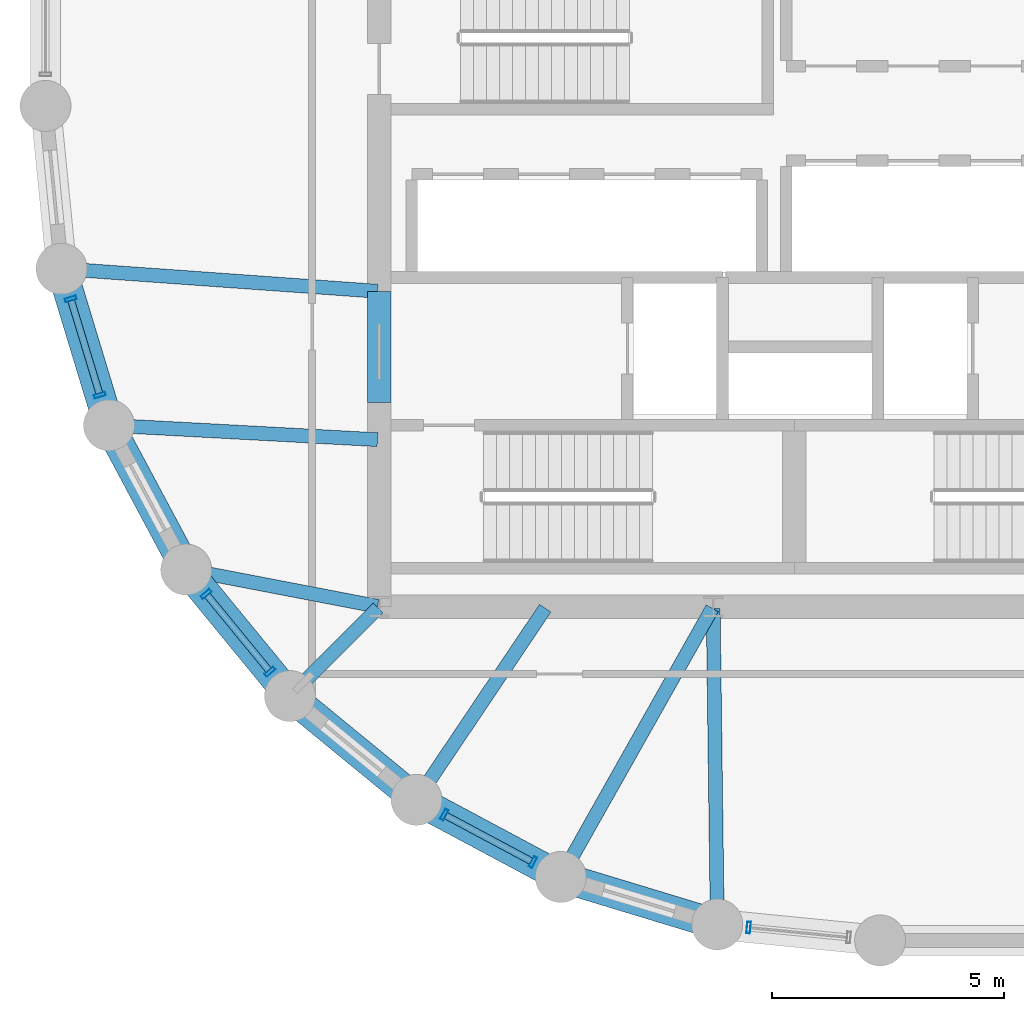
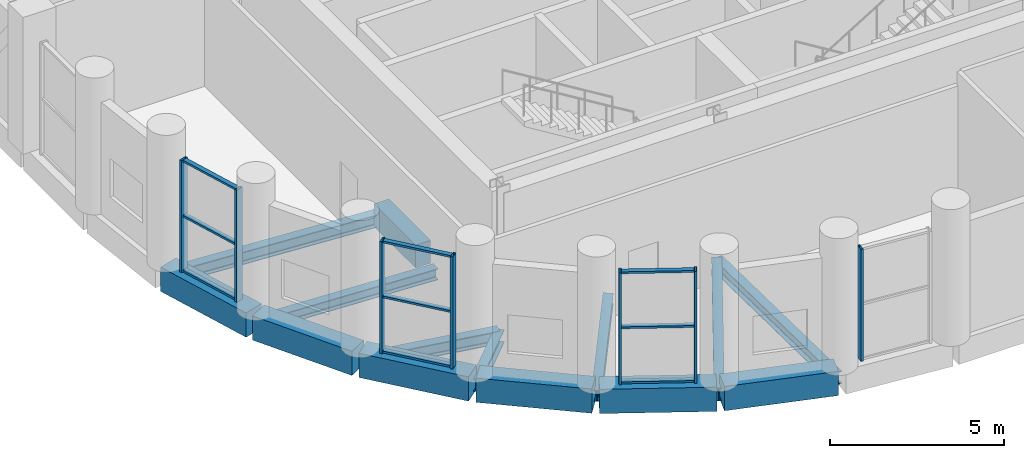
# One storey, part 2 of 22: 16 members, 14 beams, 4 elements without a shape of their own.
"""IFC4 building model written with IfcOpenShell, lengths in metres."""

from ifc_helpers import new_model, si_unit, direction, frame, origin, origin_2d, place, context, subcontext, project, spatial, rectangle, hollow_rectangle, i_section, extrude, material, layer, layer_set, material_profile, profile_set, type_object, element, aggregate, save


model = new_model("IFC4")

# Units and contexts
model_context = context("Model", 3, precision=1e-05, world=origin(), true_north=direction((0.0, 1.0)))
body_context = subcontext(model_context, "Body", "Model", "MODEL_VIEW")
ifc_project = project(units=[si_unit("LENGTHUNIT", "METRE"), si_unit("AREAUNIT", "SQUARE_METRE"), si_unit("VOLUMEUNIT", "CUBIC_METRE"), si_unit("PLANEANGLEUNIT", "RADIAN"), si_unit("MASSUNIT", "GRAM", prefix="KILO")], contexts=[model_context])

# Site, building, storey
site_placement = place(None, origin())
site = spatial("IfcSite", under=ifc_project, at=site_placement, CompositionType="ELEMENT")
building_placement = place(site_placement, origin())
building = spatial("IfcBuilding", under=site, at=building_placement, Name="Solnavia Interchange Tower", CompositionType="ELEMENT")
storey_placement = place(building_placement, frame((0.0, 0.0, 115.199951171875)))
storey = spatial("IfcBuildingStorey", under=building, at=storey_placement, Name="L28", CompositionType="ELEMENT", Elevation=115.199951171875)

# Beams
ifc_material_1 = material(Name="Concrete C50/60", Category="concrete")
ifc_material_profile_1 = material_profile(ifc_material_1, rectangle(XDim=0.5, YDim=0.800048828125, at=origin_2d()), Name="RC 500x800")
ifc_profile_set_1 = profile_set([ifc_material_profile_1], Name="Concrete C50/60")
beam_type_1 = type_object("IfcBeamType", Name="Beam-Coupling-RC500x800", PredefinedType="LINTEL", material=ifc_profile_set_1)
beam_1_placement = place(storey_placement, frame((14.39990234375, 15.199951171875, -0.39990234375), z_axis=(0.0, 1.0, 0.0), x_axis=(-1.0, 0.0, 0.0)))
element("IfcBeam", 1, at=beam_1_placement, inside=storey, type_object=beam_type_1, Name="CPB-L28-W1 Core coupling lintel beam", PredefinedType="LINTEL", context=body_context, shape_type="SweptSolid", body=[
    extrude(rectangle(XDim=0.5, YDim=0.800048828125, at=origin_2d()), origin(), (0.0, 0.0, 1.0), 2.400146484375),
])
ifc_material_2 = material(Name="Steel S460", Category="steel")
ifc_material_profile_2 = material_profile(ifc_material_2, i_section(OverallWidth=0.300048828125, OverallDepth=0.449951171875, WebThickness=0.013916015625, FlangeThickness=0.02587890625, FilletRadius=0.027099609375, at=origin_2d()), Name="HEB 450")
ifc_profile_set_2 = profile_set([ifc_material_profile_2], Name="Steel S460")
beam_type_2 = type_object("IfcBeamType", Name="Beam-Girder-HEB450", PredefinedType="BEAM", material=ifc_profile_set_2)
beam_2_placement = place(storey_placement, frame((10.3125, 11.5849609375, -0.544921875), z_axis=(0.982057527796, -0.188581579428, 0.0), x_axis=(0.188581579428, 0.982057527796, 0.0)))
element("IfcBeam", 2, at=beam_2_placement, inside=storey, type_object=beam_type_2, Name="GRD-L28-DR22 Drum radial floor girder", PredefinedType="BEAM", context=body_context, shape_type="SweptSolid", body=[
    extrude(i_section(OverallWidth=0.300048828125, OverallDepth=0.449951171875, WebThickness=0.013916015625, FlangeThickness=0.02587890625, FilletRadius=0.027099609375, at=origin_2d()), origin(), (0.0, 0.0, 1.0), 4.1220703125),
])
beam_3_placement = place(storey_placement, frame((18.351318359375, 5.039794921875, -0.544921875), z_axis=(0.491243158486, 0.871022479182, 0.0), x_axis=(-0.871022479182, 0.491243158486, 0.0)))
element("IfcBeam", 3, at=beam_3_placement, inside=storey, type_object=beam_type_2, Name="GRD-L28-DR25 Drum radial floor girder", PredefinedType="BEAM", context=body_context, shape_type="SweptSolid", body=[
    extrude(i_section(OverallWidth=0.300048828125, OverallDepth=0.449951171875, WebThickness=0.013916015625, FlangeThickness=0.02587890625, FilletRadius=0.027099609375, at=origin_2d()), origin(), (0.0, 0.0, 1.0), 6.5732421875),
])
ifc_material_3 = material(Name="Steel S355", Category="steel")
ifc_material_profile_3 = material_profile(ifc_material_3, i_section(OverallWidth=0.300048828125, OverallDepth=0.389892578125, WebThickness=0.010986328125, FlangeThickness=0.01904296875, FilletRadius=0.027099609375, at=origin_2d()), Name="HEA 400")
ifc_profile_set_3 = profile_set([ifc_material_profile_3], Name="Steel S355")
beam_type_3 = type_object("IfcBeamType", Name="Beam-Primary-HEA400", PredefinedType="BEAM", material=ifc_profile_set_3)
beam_4_placement = place(storey_placement, frame((8.64990234375, 14.707763671875, -0.514892578125), z_axis=(0.998570371303, -0.053452909696, 0.0), x_axis=(0.053452909696, 0.998570371303, 0.0)))
element("IfcBeam", 4, at=beam_4_placement, inside=storey, type_object=beam_type_3, Name="GRD-L28-DR21 Drum radial floor girder", PredefinedType="BEAM", context=body_context, shape_type="SweptSolid", body=[
    extrude(i_section(OverallWidth=0.300048828125, OverallDepth=0.389892578125, WebThickness=0.010986328125, FlangeThickness=0.01904296875, FilletRadius=0.027099609375, at=origin_2d()), origin(), (0.0, 0.0, 1.0), 5.71826171875),
])
beam_5_placement = place(storey_placement, frame((15.24462890625, 6.700439453125, -0.514892578125), z_axis=(0.557835474219, 0.829951555033, 0.0), x_axis=(-0.829951555033, 0.557835474219, 0.0)))
element("IfcBeam", 5, at=beam_5_placement, inside=storey, type_object=beam_type_3, Name="GRD-L28-DR24 Drum radial floor girder", PredefinedType="BEAM", context=body_context, shape_type="SweptSolid", body=[
    extrude(i_section(OverallWidth=0.300048828125, OverallDepth=0.389892578125, WebThickness=0.010986328125, FlangeThickness=0.01904296875, FilletRadius=0.027099609375, at=origin_2d()), origin(), (0.0, 0.0, 1.0), 4.899658203125),
])
ifc_material_profile_4 = material_profile(ifc_material_3, i_section(OverallWidth=0.300048828125, OverallDepth=0.43994140625, WebThickness=0.011474609375, FlangeThickness=0.02099609375, FilletRadius=0.027099609375, at=origin_2d()), Name="HEA 450")
ifc_profile_set_4 = profile_set([ifc_material_profile_4], Name="Steel S355")
beam_type_4 = type_object("IfcBeamType", Name="Beam-Primary-HEA450", PredefinedType="BEAM", material=ifc_profile_set_4)
beam_6_placement = place(storey_placement, frame((7.625732421875, 18.082275390625, -0.5400390625), z_axis=(0.99747482749, -0.071020902015, 0.0), x_axis=(0.071020902015, 0.99747482749, 0.0)))
element("IfcBeam", 6, at=beam_6_placement, inside=storey, type_object=beam_type_4, Name="GRD-L28-DR20 Drum radial floor girder", PredefinedType="BEAM", context=body_context, shape_type="SweptSolid", body=[
    extrude(i_section(OverallWidth=0.300048828125, OverallDepth=0.43994140625, WebThickness=0.011474609375, FlangeThickness=0.02099609375, FilletRadius=0.027099609375, at=origin_2d()), origin(), (0.0, 0.0, 1.0), 6.75146484375),
])
beam_7_placement = place(storey_placement, frame((12.528564453125, 8.9287109375, -0.5400390625), z_axis=(0.707106781187, 0.707106781187, 0.0), x_axis=(-0.707106781187, 0.707106781187, 0.0)))
element("IfcBeam", 7, at=beam_7_placement, inside=storey, type_object=beam_type_4, Name="GRD-L28-DR23 Drum radial floor girder", PredefinedType="BEAM", context=body_context, shape_type="SweptSolid", body=[
    extrude(i_section(OverallWidth=0.300048828125, OverallDepth=0.43994140625, WebThickness=0.011474609375, FlangeThickness=0.02099609375, FilletRadius=0.027099609375, at=origin_2d()), origin(), (0.0, 0.0, 1.0), 2.6064453125),
])
beam_8_placement = place(storey_placement, frame((21.68701171875, 4.02587890625, -0.5400390625), z_axis=(-0.01283293513, 0.999917654498, 0.0), x_axis=(-0.999917654498, -0.01283293513, 0.0)))
element("IfcBeam", 8, at=beam_8_placement, inside=storey, type_object=beam_type_4, Name="GRD-L28-DR26 Drum radial floor girder", PredefinedType="BEAM", context=body_context, shape_type="SweptSolid", body=[
    extrude(i_section(OverallWidth=0.300048828125, OverallDepth=0.43994140625, WebThickness=0.011474609375, FlangeThickness=0.02099609375, FilletRadius=0.027099609375, at=origin_2d()), origin(), (0.0, 0.0, 1.0), 6.734619140625),
])
ifc_material_profile_5 = material_profile(ifc_material_1, rectangle(XDim=0.64990234375, YDim=0.85009765625, at=origin_2d()), Name="RC 650x850")
ifc_profile_set_5 = profile_set([ifc_material_profile_5], Name="Concrete C50/60")
beam_type_5 = type_object("IfcBeamType", Name="Beam-Spandrel-RC650x850", PredefinedType="SPANDREL", material=ifc_profile_set_5)
beam_9_placement = place(storey_placement, frame((7.569091796875, 18.011474609375, -0.425048828125), z_axis=(0.290319223646, -0.956929855518, 0.0), x_axis=(0.956929855518, 0.290319223646, 0.0)))
element("IfcBeam", 9, at=beam_9_placement, inside=storey, type_object=beam_type_5, Name="SPB-L28-02 Framed-tube perimeter spandrel beam", PredefinedType="SPANDREL", context=body_context, shape_type="SweptSolid", body=[
    extrude(rectangle(XDim=0.64990234375, YDim=0.85009765625, at=origin_2d()), origin(), (0.0, 0.0, 1.0), 3.367919921875),
])
beam_10_placement = place(storey_placement, frame((8.607666015625, 14.6416015625, -0.425048828125), z_axis=(0.471509422952, -0.881861023102, 0.0), x_axis=(0.881861023102, 0.471509422952, 0.0)))
element("IfcBeam", 10, at=beam_10_placement, inside=storey, type_object=beam_type_5, Name="SPB-L28-03 Framed-tube perimeter spandrel beam", PredefinedType="SPANDREL", context=body_context, shape_type="SweptSolid", body=[
    extrude(rectangle(XDim=0.64990234375, YDim=0.85009765625, at=origin_2d()), origin(), (0.0, 0.0, 1.0), 3.369140625),
])
for number, where, z_axis, x_axis, name in (
    (11, (10.28466796875, 11.5380859375, -0.425048828125), (0.634298841675, -0.773087950656, 0.0), (0.773087950656, 0.634298841675, 0.0), "SPB-L28-04 Framed-tube perimeter spandrel beam"),
    (12, (12.53369140625, 8.8212890625, -0.425048828125), (0.773152644452, -0.634219984214, 0.0), (0.634219984214, 0.773152644452, 0.0), "SPB-L28-05 Framed-tube perimeter spandrel beam"),
):
    element("IfcBeam", number, at=place(storey_placement, frame(where, z_axis=z_axis, x_axis=x_axis)), inside=storey, type_object=beam_type_5, Name=name, PredefinedType="SPANDREL", context=body_context, shape_type="SweptSolid", body=[
        extrude(rectangle(XDim=0.64990234375, YDim=0.85009765625, at=origin_2d()), origin(), (0.0, 0.0, 1.0), 3.36865234375),
    ])
beam_11_placement = place(storey_placement, frame((15.2705078125, 6.59619140625, -0.425048828125), z_axis=(0.881875044348, -0.47148319817, 0.0), x_axis=(0.47148319817, 0.881875044348, 0.0)))
element("IfcBeam", 13, at=beam_11_placement, inside=storey, type_object=beam_type_5, Name="SPB-L28-06 Framed-tube perimeter spandrel beam", PredefinedType="SPANDREL", context=body_context, shape_type="SweptSolid", body=[
    extrude(rectangle(XDim=0.64990234375, YDim=0.85009765625, at=origin_2d()), origin(), (0.0, 0.0, 1.0), 3.368896484375),
])
beam_12_placement = place(storey_placement, frame((18.388671875, 4.94677734375, -0.425048828125), z_axis=(0.956943884494, -0.290272978297, 0.0), x_axis=(0.290272978297, 0.956943884494, 0.0)))
element("IfcBeam", 14, at=beam_12_placement, inside=storey, type_object=beam_type_5, Name="SPB-L28-07 Framed-tube perimeter spandrel beam", PredefinedType="SPANDREL", context=body_context, shape_type="SweptSolid", body=[
    extrude(rectangle(XDim=0.64990234375, YDim=0.85009765625, at=origin_2d()), origin(), (0.0, 0.0, 1.0), 3.36767578125),
])

# Curtain wall, members
ifc_material_4 = material(Name="Aluminium Alloy 6063-T6", Category="aluminium")
ifc_layer = layer(ifc_material_4, 0.27001953125)
ifc_layer_set = layer_set([ifc_layer], Name="Aluminium Alloy 6063-T6")
curtain_wall_type = type_object("IfcCurtainWallType", Name="CurtainWall-SkyLobby-CTW4", PredefinedType="NOTDEFINED", material=ifc_layer_set)
curtain_wall_1_placement = place(storey_placement, origin())
curtain_wall_1 = element("IfcCurtainWall", 15, at=curtain_wall_1_placement, inside=storey, type_object=curtain_wall_type, Name="CTW-L28-S56 CTW-4 curtain wall", PredefinedType="NOTDEFINED")
ifc_material_profile_6 = material_profile(ifc_material_4, hollow_rectangle(XDim=0.080078125, YDim=0.25, WallThickness=0.006103515625, at=origin_2d()), Name="ALU 250x80x6")
ifc_profile_set_6 = profile_set([ifc_material_profile_6], Name="Aluminium Alloy 6063-T6")
member_type_1 = type_object("IfcMemberType", Name="CW-Mullion-CWM-4", PredefinedType="MULLION", material=ifc_profile_set_6)
member_1_placement = place(storey_placement, frame((7.743408203125, 17.437255859375, 0.0), z_axis=(0.0, 0.0, 1.0), x_axis=(0.290219748546, -0.956960029235, 0.0)))
member_1 = element("IfcMember", 16, at=member_1_placement, type_object=member_type_1, Name="CTW-4 mullion 1", PredefinedType="MULLION", context=body_context, shape_type="SweptSolid", body=[
    extrude(hollow_rectangle(XDim=0.080078125, YDim=0.25, WallThickness=0.006103515625, at=origin_2d()), origin(), (0.0, 0.0, 1.0), 3.929931640625),
])
member_2_placement = place(storey_placement, frame((8.37255859375, 15.36279296875, 0.0), z_axis=(0.0, 0.0, 1.0), x_axis=(0.290219748546, -0.956960029235, 0.0)))
member_2 = element("IfcMember", 17, at=member_2_placement, type_object=member_type_1, Name="CTW-4 mullion 2", PredefinedType="MULLION", context=body_context, shape_type="SweptSolid", body=[
    extrude(hollow_rectangle(XDim=0.080078125, YDim=0.25, WallThickness=0.006103515625, at=origin_2d()), origin(), (0.0, 0.0, 1.0), 3.929931640625),
])

curtain_wall_2_placement = place(storey_placement, origin())
curtain_wall_2 = element("IfcCurtainWall", 18, at=curtain_wall_2_placement, inside=storey, type_object=curtain_wall_type, Name="CTW-L28-S58 CTW-4 curtain wall", PredefinedType="NOTDEFINED")
member_3_placement = place(storey_placement, frame((10.665283203125, 11.07421875, 0.0), z_axis=(0.0, 0.0, 1.0), x_axis=(0.634268905033, -0.773112511934, 0.0)))
member_3 = element("IfcMember", 19, at=member_3_placement, type_object=member_type_1, Name="CTW-4 mullion 1", PredefinedType="MULLION", context=body_context, shape_type="SweptSolid", body=[
    extrude(hollow_rectangle(XDim=0.080078125, YDim=0.25, WallThickness=0.006103515625, at=origin_2d()), origin(), (0.0, 0.0, 1.0), 3.929931640625),
])
member_4_placement = place(storey_placement, frame((12.040771484375, 9.397705078125, 0.0), z_axis=(0.0, 0.0, 1.0), x_axis=(0.634268905033, -0.773112511934, 0.0)))
member_4 = element("IfcMember", 20, at=member_4_placement, type_object=member_type_1, Name="CTW-4 mullion 2", PredefinedType="MULLION", context=body_context, shape_type="SweptSolid", body=[
    extrude(hollow_rectangle(XDim=0.080078125, YDim=0.25, WallThickness=0.006103515625, at=origin_2d()), origin(), (0.0, 0.0, 1.0), 3.929931640625),
])

curtain_wall_3_placement = place(storey_placement, origin())
curtain_wall_3 = element("IfcCurtainWall", 21, at=curtain_wall_3_placement, inside=storey, type_object=curtain_wall_type, Name="CTW-L28-S60 CTW-4 curtain wall", PredefinedType="NOTDEFINED")
member_5_placement = place(storey_placement, frame((15.799560546875, 6.313232421875, 0.0), z_axis=(0.0, 0.0, 1.0), x_axis=(0.881855164783, -0.471520379566, 0.0)))
member_5 = element("IfcMember", 22, at=member_5_placement, type_object=member_type_1, Name="CTW-4 mullion 1", PredefinedType="MULLION", context=body_context, shape_type="SweptSolid", body=[
    extrude(hollow_rectangle(XDim=0.080078125, YDim=0.25, WallThickness=0.006103515625, at=origin_2d()), origin(), (0.0, 0.0, 1.0), 3.929931640625),
])
member_6_placement = place(storey_placement, frame((17.71240234375, 5.290771484375, 0.0), z_axis=(0.0, 0.0, 1.0), x_axis=(0.881855164783, -0.471520379566, 0.0)))
member_6 = element("IfcMember", 23, at=member_6_placement, type_object=member_type_1, Name="CTW-4 mullion 2", PredefinedType="MULLION", context=body_context, shape_type="SweptSolid", body=[
    extrude(hollow_rectangle(XDim=0.080078125, YDim=0.25, WallThickness=0.006103515625, at=origin_2d()), origin(), (0.0, 0.0, 1.0), 3.929931640625),
])

# Curtain wall, member
curtain_wall_4_placement = place(storey_placement, origin())
curtain_wall_4 = element("IfcCurtainWall", 24, at=curtain_wall_4_placement, inside=storey, type_object=curtain_wall_type, Name="CTW-L28-S62 CTW-4 curtain wall", PredefinedType="NOTDEFINED")
member_7_placement = place(storey_placement, frame((22.36474609375, 3.87939453125, 0.0), z_axis=(0.0, 0.0, 1.0), x_axis=(0.995177934818, -0.098086074705, 0.0)))
member_7 = element("IfcMember", 25, at=member_7_placement, type_object=member_type_1, Name="CTW-4 mullion 1", PredefinedType="MULLION", context=body_context, shape_type="SweptSolid", body=[
    extrude(hollow_rectangle(XDim=0.080078125, YDim=0.25, WallThickness=0.006103515625, at=origin_2d()), origin(), (0.0, 0.0, 1.0), 3.929931640625),
])
aggregate(curtain_wall_4, [member_7])

# Member
ifc_material_profile_7 = material_profile(ifc_material_4, hollow_rectangle(XDim=0.070068359375, YDim=0.14990234375, WallThickness=0.00439453125, at=origin_2d()), Name="ALU 150x70x4.5")
ifc_profile_set_7 = profile_set([ifc_material_profile_7], Name="Aluminium Alloy 6063-T6")
member_type_2 = type_object("IfcMemberType", Name="CW-Transom-CWT-4", PredefinedType="USERDEFINED", material=ifc_profile_set_7)
member_8_placement = place(storey_placement, frame((7.755126953125, 17.39892578125, 0.03515625), z_axis=(0.290221580365, -0.956959473693, 0.0), x_axis=(0.0, 0.0, 1.0)))
member_8 = element("IfcMember", 26, at=member_8_placement, type_object=member_type_2, Name="CTW-4 transom 1.1", ObjectType="TRANSOM", PredefinedType="USERDEFINED", context=body_context, shape_type="SweptSolid", body=[
    extrude(hollow_rectangle(XDim=0.070068359375, YDim=0.14990234375, WallThickness=0.00439453125, at=origin_2d()), origin(), (0.0, 0.0, 1.0), 2.087890625),
])

member_9_placement = place(storey_placement, frame((7.755126953125, 17.39892578125, 1.965087890625), z_axis=(0.290221580365, -0.956959473693, 0.0), x_axis=(0.0, 0.0, 1.0)))
member_9 = element("IfcMember", 27, at=member_9_placement, type_object=member_type_2, Name="CTW-4 transom 1.2", ObjectType="TRANSOM", PredefinedType="USERDEFINED", context=body_context, shape_type="SweptSolid", body=[
    extrude(hollow_rectangle(XDim=0.070068359375, YDim=0.14990234375, WallThickness=0.00439453125, at=origin_2d()), origin(), (0.0, 0.0, 1.0), 2.087890625),
])

member_10_placement = place(storey_placement, frame((7.755126953125, 17.39892578125, 3.89501953125), z_axis=(0.290221580365, -0.956959473693, 0.0), x_axis=(0.0, 0.0, 1.0)))
member_10 = element("IfcMember", 28, at=member_10_placement, type_object=member_type_2, Name="CTW-4 transom 1.3", ObjectType="TRANSOM", PredefinedType="USERDEFINED", context=body_context, shape_type="SweptSolid", body=[
    extrude(hollow_rectangle(XDim=0.070068359375, YDim=0.14990234375, WallThickness=0.00439453125, at=origin_2d()), origin(), (0.0, 0.0, 1.0), 2.087890625),
])

aggregate(curtain_wall_1, [member_1, member_2, member_8, member_9, member_10])

member_11_placement = place(storey_placement, frame((10.690673828125, 11.04345703125, 0.03515625), z_axis=(0.634255706479, -0.773123339965, 0.0), x_axis=(0.0, 0.0, 1.0)))
member_11 = element("IfcMember", 29, at=member_11_placement, type_object=member_type_2, Name="CTW-4 transom 1.1", ObjectType="TRANSOM", PredefinedType="USERDEFINED", context=body_context, shape_type="SweptSolid", body=[
    extrude(hollow_rectangle(XDim=0.070068359375, YDim=0.14990234375, WallThickness=0.00439453125, at=origin_2d()), origin(), (0.0, 0.0, 1.0), 2.088623046875),
])

member_12_placement = place(storey_placement, frame((10.690673828125, 11.04345703125, 1.965087890625), z_axis=(0.634255706479, -0.773123339965, 0.0), x_axis=(0.0, 0.0, 1.0)))
member_12 = element("IfcMember", 30, at=member_12_placement, type_object=member_type_2, Name="CTW-4 transom 1.2", ObjectType="TRANSOM", PredefinedType="USERDEFINED", context=body_context, shape_type="SweptSolid", body=[
    extrude(hollow_rectangle(XDim=0.070068359375, YDim=0.14990234375, WallThickness=0.00439453125, at=origin_2d()), origin(), (0.0, 0.0, 1.0), 2.088623046875),
])

member_13_placement = place(storey_placement, frame((10.690673828125, 11.04345703125, 3.89501953125), z_axis=(0.634255706479, -0.773123339965, 0.0), x_axis=(0.0, 0.0, 1.0)))
member_13 = element("IfcMember", 31, at=member_13_placement, type_object=member_type_2, Name="CTW-4 transom 1.3", ObjectType="TRANSOM", PredefinedType="USERDEFINED", context=body_context, shape_type="SweptSolid", body=[
    extrude(hollow_rectangle(XDim=0.070068359375, YDim=0.14990234375, WallThickness=0.00439453125, at=origin_2d()), origin(), (0.0, 0.0, 1.0), 2.088623046875),
])

aggregate(curtain_wall_2, [member_3, member_4, member_11, member_12, member_13])

member_14_placement = place(storey_placement, frame((15.8349609375, 6.29443359375, 0.03515625), z_axis=(0.881867152912, -0.47149795823, 0.0), x_axis=(0.0, 0.0, 1.0)))
member_14 = element("IfcMember", 32, at=member_14_placement, type_object=member_type_2, Name="CTW-4 transom 1.1", ObjectType="TRANSOM", PredefinedType="USERDEFINED", context=body_context, shape_type="SweptSolid", body=[
    extrude(hollow_rectangle(XDim=0.070068359375, YDim=0.14990234375, WallThickness=0.00439453125, at=origin_2d()), origin(), (0.0, 0.0, 1.0), 2.0888671875),
])

member_15_placement = place(storey_placement, frame((15.8349609375, 6.29443359375, 1.965087890625), z_axis=(0.881867152912, -0.47149795823, 0.0), x_axis=(0.0, 0.0, 1.0)))
member_15 = element("IfcMember", 33, at=member_15_placement, type_object=member_type_2, Name="CTW-4 transom 1.2", ObjectType="TRANSOM", PredefinedType="USERDEFINED", context=body_context, shape_type="SweptSolid", body=[
    extrude(hollow_rectangle(XDim=0.070068359375, YDim=0.14990234375, WallThickness=0.00439453125, at=origin_2d()), origin(), (0.0, 0.0, 1.0), 2.0888671875),
])

member_16_placement = place(storey_placement, frame((15.8349609375, 6.29443359375, 3.89501953125), z_axis=(0.881867152912, -0.47149795823, 0.0), x_axis=(0.0, 0.0, 1.0)))
member_16 = element("IfcMember", 34, at=member_16_placement, type_object=member_type_2, Name="CTW-4 transom 1.3", ObjectType="TRANSOM", PredefinedType="USERDEFINED", context=body_context, shape_type="SweptSolid", body=[
    extrude(hollow_rectangle(XDim=0.070068359375, YDim=0.14990234375, WallThickness=0.00439453125, at=origin_2d()), origin(), (0.0, 0.0, 1.0), 2.0888671875),
])

aggregate(curtain_wall_3, [member_5, member_6, member_14, member_15, member_16])

save(model, "model.ifc")
